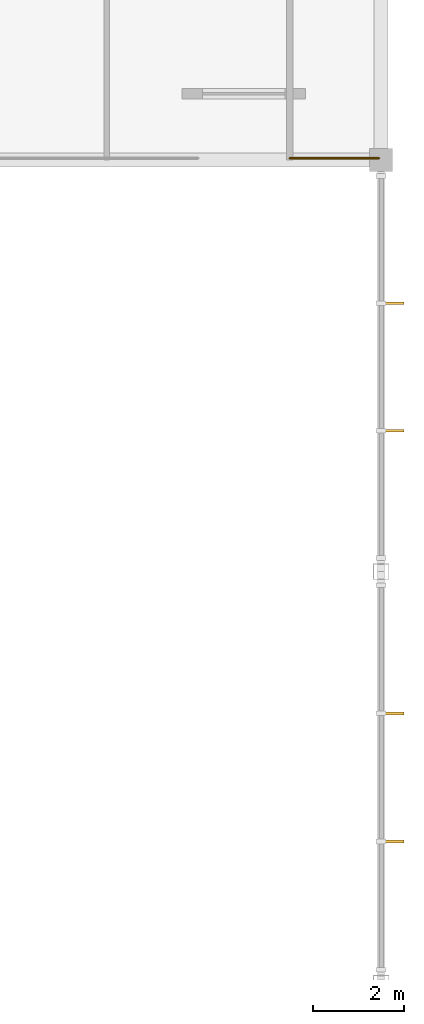
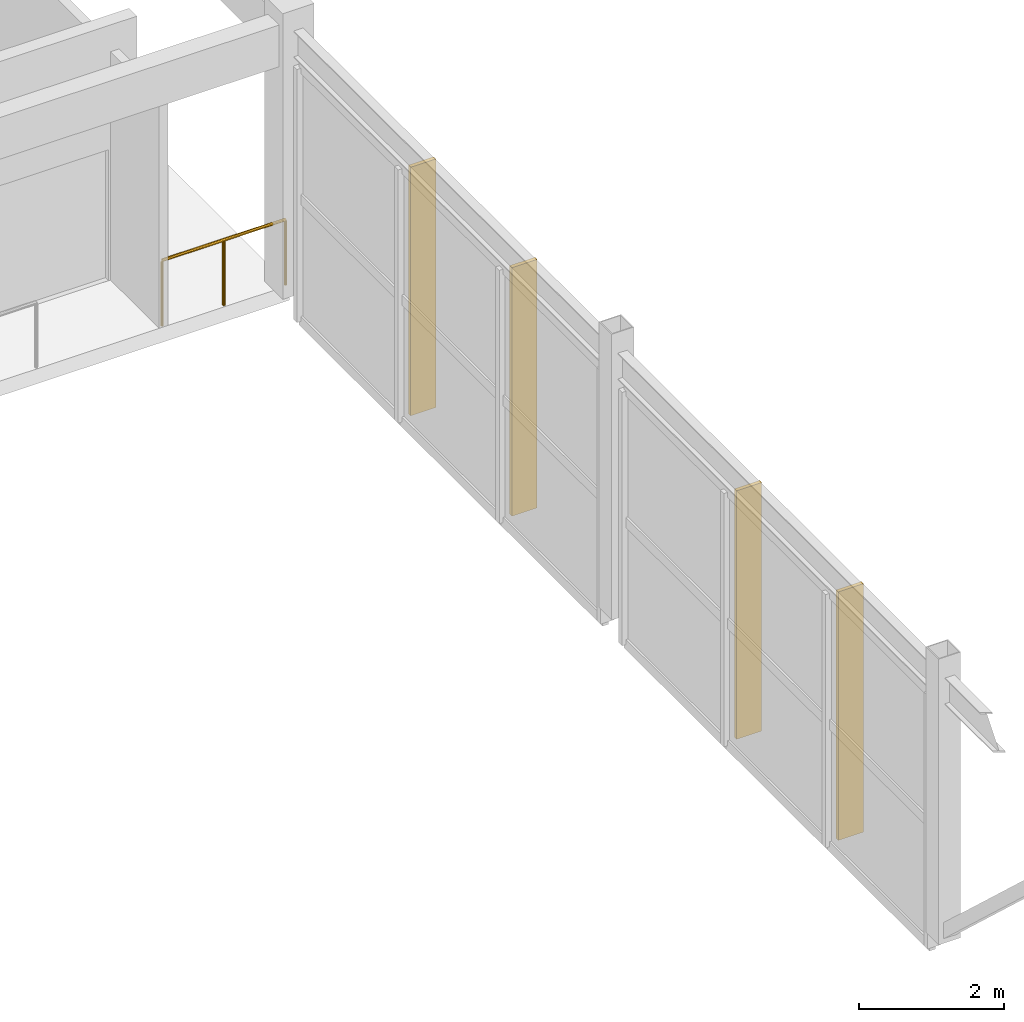
# One storey, part 74 of 74: 4 shading devices, 1 railing.
"""IFC4 building model written with IfcOpenShell, lengths in metres."""

from ifc_helpers import new_model, si_unit, direction, frame, origin, origin_2d, place, context, subcontext, project, spatial, rectangle, circle, extrude, material, type_object, element, save


model = new_model("IFC4")

# Units and contexts
model_context = context("Model", 3, precision=1e-05, world=origin(), true_north=direction((0.0, 1.0)))
body_context = subcontext(model_context, "Body", "Model", "MODEL_VIEW")
ifc_project = project(units=[si_unit("LENGTHUNIT", "METRE"), si_unit("AREAUNIT", "SQUARE_METRE"), si_unit("VOLUMEUNIT", "CUBIC_METRE"), si_unit("PLANEANGLEUNIT", "RADIAN"), si_unit("MASSUNIT", "GRAM", prefix="KILO")], contexts=[model_context])

# Site, building, storey
site_placement = place(None, origin())
site = spatial("IfcSite", under=ifc_project, at=site_placement, CompositionType="ELEMENT")
building_placement = place(site_placement, origin())
building = spatial("IfcBuilding", under=site, at=building_placement, Name="Suirenkawa Promenade Aquatics Centre", CompositionType="ELEMENT")
storey_placement = place(building_placement, frame((0.0, 0.0, 4.800048828125)))
storey = spatial("IfcBuildingStorey", under=building, at=storey_placement, Name="L01", CompositionType="ELEMENT", Elevation=4.800048828125)

# Railing
ifc_material_1 = material(Name="Marine-grade stainless steel Grade 316L", Category="steel")
railing_type = type_object("IfcRailingType", Name="RLT-BALUSTRADE-1120", PredefinedType="BALUSTRADE", material=ifc_material_1)
railing_placement = place(storey_placement, frame((192.39990234375, 86.43994140625, 0.0)))
element("IfcRailing", 1, at=railing_placement, inside=storey, type_object=railing_type, Name="Balustrade BAL-01 RL-0429", PredefinedType="BALUSTRADE", context=body_context, shape_type="SweptSolid", body=[
    extrude(circle(Radius=0.02392578125, at=origin_2d()), frame((0.0, 0.0, 1.09619140625), z_axis=(1.0, 0.0, 0.0), x_axis=(0.0, 1.0, 0.0)), (0.0, 0.0, 1.0), 1.960205078125),
    extrude(circle(Radius=0.02099609375, at=origin_2d()), origin(), (0.0, 0.0, 1.0), 1.072021484375),
    extrude(circle(Radius=0.02099609375, at=origin_2d()), frame((0.97998046875, 0.0, 0.0)), (0.0, 0.0, 1.0), 1.072021484375),
    extrude(circle(Radius=0.02099609375, at=origin_2d()), frame((1.960205078125, 0.0, 0.0)), (0.0, 0.0, 1.0), 1.072021484375),
])

# Shading devices
ifc_material_2 = material(Name="Anodised aluminium 6063-T6", Category="aluminium")
shading_device_type = type_object("IfcShadingDeviceType", Name="SDT-KOUSHI-400", PredefinedType="USERDEFINED", material=ifc_material_2)
for number, where, z_axis, x_axis, name in (
    (2, (194.701904296875, 74.30029296875, -0.31005859375), (0.0, 0.0, 1.0), (1.0, 0.0, 0.0), "Vertical solar shading fin FN-01 FIN-0027"),
    (3, (194.701904296875, 71.499755859375, -0.31005859375), (0.0, 0.0, 1.0), (1.0, 0.0, 0.0), "Vertical solar shading fin FN-01 FIN-0028"),
    (4, (194.701904296875, 83.26708984375, -0.31005859375), (0.0, 0.0, 1.0), (1.0, 0.0, 0.0), "Vertical solar shading fin FN-01 FIN-0031"),
    (5, (194.701904296875, 80.48291015625, -0.31005859375), (0.0, 0.0, 1.0), (1.0, 0.0, 0.0), "Vertical solar shading fin FN-01 FIN-0032"),
):
    element("IfcShadingDevice", number, at=place(storey_placement, frame(where, z_axis=z_axis, x_axis=x_axis)), inside=storey, type_object=shading_device_type, Name=name, ObjectType="FIN", PredefinedType="USERDEFINED", context=body_context, shape_type="SweptSolid", body=[
        extrude(rectangle(XDim=0.39990234375, YDim=0.06005859375, at=origin_2d()), origin(), (0.0, 0.0, 1.0), 4.175048828125),
    ])

save(model, "model.ifc")
